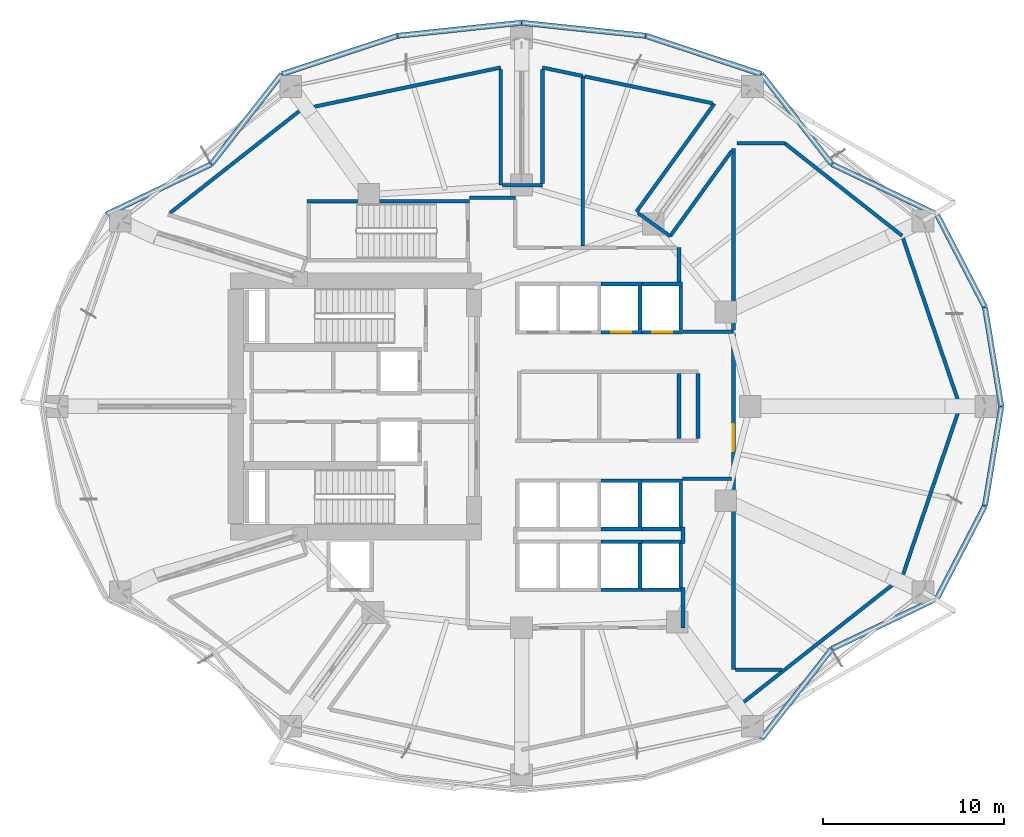
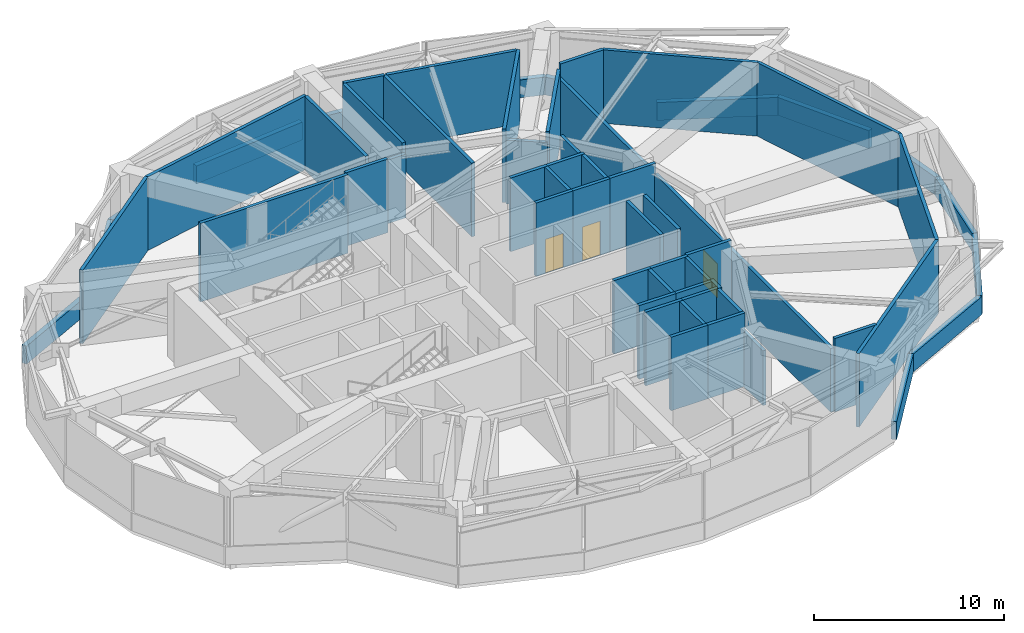
# One storey, part 9 of 12: 60 walls, 3 doors, 3 openings.
"""IFC4 building model written with IfcOpenShell, lengths in metres."""

from ifc_helpers import new_model, si_unit, direction, frame, frame_2d, origin, place, context, subcontext, project, spatial, rectangle, extrude, material, layer, layer_set, type_object, element, fill, save


model = new_model("IFC4")

# Units and contexts
model_context = context("Model", 3, precision=1e-05, world=origin(), true_north=direction((0.0, 1.0)))
body_context = subcontext(model_context, "Body", "Model", "MODEL_VIEW")
ifc_project = project(units=[si_unit("LENGTHUNIT", "METRE"), si_unit("AREAUNIT", "SQUARE_METRE"), si_unit("VOLUMEUNIT", "CUBIC_METRE"), si_unit("PLANEANGLEUNIT", "RADIAN"), si_unit("MASSUNIT", "GRAM", prefix="KILO")], contexts=[model_context])

# Site, building, storey
site_placement = place(None, origin())
site = spatial("IfcSite", under=ifc_project, at=site_placement, CompositionType="ELEMENT")
building_placement = place(site_placement, origin())
building = spatial("IfcBuilding", under=site, at=building_placement, Name="Kolvaren Gate Tower and Convention Centre", CompositionType="ELEMENT")
storey_placement = place(building_placement, frame((0.0, 0.0, 95.800048828125)))
storey = spatial("IfcBuildingStorey", under=building, at=storey_placement, Name="L23", CompositionType="ELEMENT", Elevation=95.800048828125)

# Wall
ifc_material_1 = material(Name="Autoclaved Aerated Masonry Blockwork Class 4 (4.0 MPa)", Category="masonry")
ifc_layer_1 = layer(ifc_material_1, 0.199951171875)
ifc_layer_set_1 = layer_set([ifc_layer_1], Name="Autoclaved Aerated Masonry Blockwork Class 4 (4.0 MPa)")
wall_type_1 = type_object("IfcWallType", Name="ARCH-WL-SHAFT-200", PredefinedType="SOLIDWALL", material=ifc_layer_set_1)
wall_1_placement = place(storey_placement, frame((34.5, 33.75, 0.0), z_axis=(0.0, 0.0, 1.0), x_axis=(1.0, 0.0, 0.0)))
element("IfcWall", 1, at=wall_1_placement, inside=storey, type_object=wall_type_1, Name="Elevator PL-03 L23 Fire Shaft Wall N", PredefinedType="SOLIDWALL", context=body_context, shape_type="SweptSolid", body=[
    extrude(rectangle(XDim=2.25, YDim=0.199951171875, at=frame_2d((1.125, 0.0))), origin(), (0.0, 0.0, 1.0), 4.719970703125),
])

# Wall, opening, door
wall_2_placement = place(storey_placement, frame((34.5, 31.10009765625, 0.0), z_axis=(0.0, 0.0, 1.0), x_axis=(1.0, 0.0, 0.0)))
wall_2 = element("IfcWall", 2, at=wall_2_placement, inside=storey, type_object=wall_type_1, Name="Elevator PL-03 L23 Fire Shaft Wall S", PredefinedType="SOLIDWALL", context=body_context, shape_type="SweptSolid", body=[
    extrude(rectangle(XDim=2.25, YDim=0.199951171875, at=frame_2d((1.125, 0.0))), origin(), (0.0, 0.0, 1.0), 4.719970703125),
])
opening_1_placement = place(wall_2_placement, frame((0.574951171875, 0.0, 0.0)))
opening_1 = element("IfcOpeningElement", 3, at=opening_1_placement, cuts=wall_2, Name="Opening LD", PredefinedType="OPENING", context=body_context, shape_type="SweptSolid", body=[
    extrude(rectangle(XDim=1.10009765625, YDim=2.199951171875, at=frame_2d((0.550048828125, 1.10009765625))), frame((0.0, 0.10986328125, 0.0), z_axis=(0.0, -1.0, 0.0), x_axis=(1.0, 0.0, 0.0)), (0.0, 0.0, 1.0), 0.219970703125),
])
ifc_material_2 = material(Name="Brushed Stainless Steel Grade 316L", Category="steel")
door_type_1 = type_object("IfcDoorType", Name="ARCH-DR-LIFT-1100", OperationType="SLIDING_TO_LEFT", PredefinedType="DOOR", material=ifc_material_2)
door_1_placement = place(opening_1_placement, origin())
door_1 = element("IfcDoor", 4, at=door_1_placement, inside=storey, type_object=door_type_1, Name="Elevator PL-03 L23 Sliding Landing Door", OperationType="SLIDING_TO_LEFT", OverallHeight=2.199951171875, OverallWidth=1.10009765625, PredefinedType="DOOR", context=body_context, shape_type="SweptSolid", body=[
    extrude(rectangle(XDim=1.10009765625, YDim=2.199951171875, at=frame_2d((0.550048828125, 1.10009765625))), frame((0.0, 0.02490234375, 0.0), z_axis=(0.0, -1.0, 0.0), x_axis=(1.0, 0.0, 0.0)), (0.0, 0.0, 1.0), 0.050048828125),
])
fill(opening_1, door_1)

# Walls
wall_3_placement = place(storey_placement, frame((36.64990234375, 31.2099609375, 0.0), z_axis=(0.0, 0.0, 1.0), x_axis=(0.0, 1.0, 0.0)))
element("IfcWall", 5, at=wall_3_placement, inside=storey, type_object=wall_type_1, Name="Elevator PL-03 L23 Fire Shaft Wall E", PredefinedType="SOLIDWALL", context=body_context, shape_type="SweptSolid", body=[
    extrude(rectangle(XDim=2.429931640625, YDim=0.199951171875, at=frame_2d((1.21484375, 0.0))), origin(), (0.0, 0.0, 1.0), 4.719970703125),
])
wall_4_placement = place(storey_placement, frame((36.75, 33.75, 0.0), z_axis=(0.0, 0.0, 1.0), x_axis=(1.0, 0.0, 0.0)))
element("IfcWall", 6, at=wall_4_placement, inside=storey, type_object=wall_type_1, Name="Elevator PL-04 L23 Fire Shaft Wall N", PredefinedType="SOLIDWALL", context=body_context, shape_type="SweptSolid", body=[
    extrude(rectangle(XDim=2.25, YDim=0.199951171875, at=frame_2d((1.125, 0.0))), origin(), (0.0, 0.0, 1.0), 4.719970703125),
])

# Wall, opening, door
wall_5_placement = place(storey_placement, frame((36.75, 31.10009765625, 0.0), z_axis=(0.0, 0.0, 1.0), x_axis=(1.0, 0.0, 0.0)))
wall_5 = element("IfcWall", 7, at=wall_5_placement, inside=storey, type_object=wall_type_1, Name="Elevator PL-04 L23 Fire Shaft Wall S", PredefinedType="SOLIDWALL", context=body_context, shape_type="SweptSolid", body=[
    extrude(rectangle(XDim=2.25, YDim=0.199951171875, at=frame_2d((1.125, 0.0))), origin(), (0.0, 0.0, 1.0), 4.719970703125),
])
opening_2_placement = place(wall_5_placement, frame((0.574951171875, 0.0, 0.0)))
opening_2 = element("IfcOpeningElement", 8, at=opening_2_placement, cuts=wall_5, Name="Opening LD", PredefinedType="OPENING", context=body_context, shape_type="SweptSolid", body=[
    extrude(rectangle(XDim=1.10009765625, YDim=2.199951171875, at=frame_2d((0.550048828125, 1.10009765625))), frame((0.0, 0.10986328125, 0.0), z_axis=(0.0, -1.0, 0.0), x_axis=(1.0, 0.0, 0.0)), (0.0, 0.0, 1.0), 0.219970703125),
])
door_2_placement = place(opening_2_placement, origin())
door_2 = element("IfcDoor", 9, at=door_2_placement, inside=storey, type_object=door_type_1, Name="Elevator PL-04 L23 Sliding Landing Door", OperationType="SLIDING_TO_LEFT", OverallHeight=2.199951171875, OverallWidth=1.10009765625, PredefinedType="DOOR", context=body_context, shape_type="SweptSolid", body=[
    extrude(rectangle(XDim=1.10009765625, YDim=2.199951171875, at=frame_2d((0.550048828125, 1.10009765625))), frame((0.0, 0.02490234375, 0.0), z_axis=(0.0, -1.0, 0.0), x_axis=(1.0, 0.0, 0.0)), (0.0, 0.0, 1.0), 0.050048828125),
])
fill(opening_2, door_2)

# Walls
wall_6_placement = place(storey_placement, frame((38.89990234375, 31.2099609375, 0.0), z_axis=(0.0, 0.0, 1.0), x_axis=(0.0, 1.0, 0.0)))
element("IfcWall", 10, at=wall_6_placement, inside=storey, type_object=wall_type_1, Name="Elevator PL-04 L23 Fire Shaft Wall E", PredefinedType="SOLIDWALL", context=body_context, shape_type="SweptSolid", body=[
    extrude(rectangle(XDim=2.429931640625, YDim=0.199951171875, at=frame_2d((1.21484375, 0.0))), origin(), (0.0, 0.0, 1.0), 4.719970703125),
])
for number, where, z_axis, x_axis, name in (
    (11, (34.5, 19.550048828125, 0.0), (0.0, 0.0, 1.0), (1.0, 0.0, 0.0), "Elevator PL-07 L23 Fire Shaft Wall N"),
    (12, (34.5, 16.89990234375, 0.0), (0.0, 0.0, 1.0), (1.0, 0.0, 0.0), "Elevator PL-07 L23 Fire Shaft Wall S"),
):
    element("IfcWall", number, at=place(storey_placement, frame(where, z_axis=z_axis, x_axis=x_axis)), inside=storey, type_object=wall_type_1, Name=name, PredefinedType="SOLIDWALL", context=body_context, shape_type="SweptSolid", body=[
        extrude(rectangle(XDim=2.25, YDim=0.199951171875, at=frame_2d((1.125, 0.0))), origin(), (0.0, 0.0, 1.0), 4.719970703125),
    ])
wall_7_placement = place(storey_placement, frame((36.64990234375, 17.010009765625, 0.0), z_axis=(0.0, 0.0, 1.0), x_axis=(0.0, 1.0, 0.0)))
element("IfcWall", 13, at=wall_7_placement, inside=storey, type_object=wall_type_1, Name="Elevator PL-07 L23 Fire Shaft Wall E", PredefinedType="SOLIDWALL", context=body_context, shape_type="SweptSolid", body=[
    extrude(rectangle(XDim=2.429931640625, YDim=0.199951171875, at=frame_2d((1.21484375, 0.0))), origin(), (0.0, 0.0, 1.0), 4.719970703125),
])
for number, where, z_axis, x_axis, name in (
    (14, (36.75, 19.550048828125, 0.0), (0.0, 0.0, 1.0), (1.0, 0.0, 0.0), "Elevator PL-08 L23 Fire Shaft Wall N"),
    (15, (36.75, 16.89990234375, 0.0), (0.0, 0.0, 1.0), (1.0, 0.0, 0.0), "Elevator PL-08 L23 Fire Shaft Wall S"),
):
    element("IfcWall", number, at=place(storey_placement, frame(where, z_axis=z_axis, x_axis=x_axis)), inside=storey, type_object=wall_type_1, Name=name, PredefinedType="SOLIDWALL", context=body_context, shape_type="SweptSolid", body=[
        extrude(rectangle(XDim=2.25, YDim=0.199951171875, at=frame_2d((1.125, 0.0))), origin(), (0.0, 0.0, 1.0), 4.719970703125),
    ])
wall_8_placement = place(storey_placement, frame((38.89990234375, 17.010009765625, 0.0), z_axis=(0.0, 0.0, 1.0), x_axis=(0.0, 1.0, 0.0)))
element("IfcWall", 16, at=wall_8_placement, inside=storey, type_object=wall_type_1, Name="Elevator PL-08 L23 Fire Shaft Wall E", PredefinedType="SOLIDWALL", context=body_context, shape_type="SweptSolid", body=[
    extrude(rectangle(XDim=2.429931640625, YDim=0.199951171875, at=frame_2d((1.21484375, 0.0))), origin(), (0.0, 0.0, 1.0), 4.719970703125),
])
for number, where, z_axis, x_axis, name in (
    (17, (34.5, 22.89990234375, 0.0), (0.0, 0.0, 1.0), (1.0, 0.0, 0.0), "Elevator PL-11 L23 Fire Shaft Wall N"),
    (18, (34.5, 20.25, 0.0), (0.0, 0.0, 1.0), (1.0, 0.0, 0.0), "Elevator PL-11 L23 Fire Shaft Wall S"),
):
    element("IfcWall", number, at=place(storey_placement, frame(where, z_axis=z_axis, x_axis=x_axis)), inside=storey, type_object=wall_type_1, Name=name, PredefinedType="SOLIDWALL", context=body_context, shape_type="SweptSolid", body=[
        extrude(rectangle(XDim=2.25, YDim=0.199951171875, at=frame_2d((1.125, 0.0))), origin(), (0.0, 0.0, 1.0), 4.719970703125),
    ])
wall_9_placement = place(storey_placement, frame((36.64990234375, 20.360107421875, 0.0), z_axis=(0.0, 0.0, 1.0), x_axis=(0.0, 1.0, 0.0)))
element("IfcWall", 19, at=wall_9_placement, inside=storey, type_object=wall_type_1, Name="Elevator PL-11 L23 Fire Shaft Wall E", PredefinedType="SOLIDWALL", context=body_context, shape_type="SweptSolid", body=[
    extrude(rectangle(XDim=2.429931640625, YDim=0.199951171875, at=frame_2d((1.21484375, 0.0))), origin(), (0.0, 0.0, 1.0), 4.719970703125),
])
for number, where, z_axis, x_axis, name in (
    (20, (36.75, 22.89990234375, 0.0), (0.0, 0.0, 1.0), (1.0, 0.0, 0.0), "Elevator PL-12 L23 Fire Shaft Wall N"),
    (21, (36.75, 20.25, 0.0), (0.0, 0.0, 1.0), (1.0, 0.0, 0.0), "Elevator PL-12 L23 Fire Shaft Wall S"),
):
    element("IfcWall", number, at=place(storey_placement, frame(where, z_axis=z_axis, x_axis=x_axis)), inside=storey, type_object=wall_type_1, Name=name, PredefinedType="SOLIDWALL", context=body_context, shape_type="SweptSolid", body=[
        extrude(rectangle(XDim=2.25, YDim=0.199951171875, at=frame_2d((1.125, 0.0))), origin(), (0.0, 0.0, 1.0), 4.719970703125),
    ])
wall_10_placement = place(storey_placement, frame((38.89990234375, 20.360107421875, 0.0), z_axis=(0.0, 0.0, 1.0), x_axis=(0.0, 1.0, 0.0)))
element("IfcWall", 22, at=wall_10_placement, inside=storey, type_object=wall_type_1, Name="Elevator PL-12 L23 Fire Shaft Wall E", PredefinedType="SOLIDWALL", context=body_context, shape_type="SweptSolid", body=[
    extrude(rectangle(XDim=2.429931640625, YDim=0.199951171875, at=frame_2d((1.21484375, 0.0))), origin(), (0.0, 0.0, 1.0), 4.719970703125),
])
wall_11_placement = place(storey_placement, frame((38.800048828125, 25.221923828125, 0.0), z_axis=(0.0, 0.0, 1.0), x_axis=(0.0, 1.0, 0.0)))
element("IfcWall", 23, at=wall_11_placement, inside=storey, type_object=wall_type_1, Name="Interior Partition WL-L23-INT-013", PredefinedType="SOLIDWALL", context=body_context, shape_type="SweptSolid", body=[
    extrude(rectangle(XDim=3.59619140625, YDim=0.199951171875, at=frame_2d((1.798095703125, 0.0))), origin(), (0.0, 0.0, 1.0), 4.719970703125),
])
wall_12_placement = place(storey_placement, frame((38.800048828125, 33.8701171875, 0.0), z_axis=(0.0, 0.0, 1.0), x_axis=(0.0, 1.0, 0.0)))
element("IfcWall", 24, at=wall_12_placement, inside=storey, type_object=wall_type_1, Name="Interior Partition WL-L23-INT-014", PredefinedType="SOLIDWALL", context=body_context, shape_type="SweptSolid", body=[
    extrude(rectangle(XDim=1.8798828125, YDim=0.199951171875, at=frame_2d((0.93994140625, 0.0))), origin(), (0.0, 0.0, 1.0), 4.719970703125),
])
wall_13_placement = place(storey_placement, frame((39.02001953125, 14.800048828125, 0.0), z_axis=(0.0, 0.0, 1.0), x_axis=(0.0, 1.0, 0.0)))
element("IfcWall", 25, at=wall_13_placement, inside=storey, type_object=wall_type_1, Name="Interior Partition WL-L23-INT-015", PredefinedType="SOLIDWALL", context=body_context, shape_type="SweptSolid", body=[
    extrude(rectangle(XDim=2.2099609375, YDim=0.199951171875, at=frame_2d((1.10498046875, 0.0))), origin(), (0.0, 0.0, 1.0), 3.512451171875),
])
wall_14_placement = place(storey_placement, frame((39.02001953125, 19.43994140625, 0.0), z_axis=(0.0, 0.0, 1.0), x_axis=(0.0, 1.0, 0.0)))
element("IfcWall", 26, at=wall_14_placement, inside=storey, type_object=wall_type_1, Name="Interior Partition WL-L23-INT-015 (2)", PredefinedType="SOLIDWALL", context=body_context, shape_type="SweptSolid", body=[
    extrude(rectangle(XDim=0.920166015625, YDim=0.199951171875, at=frame_2d((0.4599609375, 0.0))), origin(), (0.0, 0.0, 1.0), 4.719970703125),
])
wall_15_placement = place(storey_placement, frame((27.25, 38.5, 0.0), z_axis=(0.0, 0.0, 1.0), x_axis=(1.0, 0.0, 0.0)))
element("IfcWall", 27, at=wall_15_placement, inside=storey, type_object=wall_type_1, Name="Interior Partition WL-L23-INT-019", PredefinedType="SOLIDWALL", context=body_context, shape_type="SweptSolid", body=[
    extrude(rectangle(XDim=2.530029296875, YDim=0.199951171875, at=frame_2d((1.26513671875, 0.0))), origin(), (0.0, 0.0, 1.0), 4.719970703125),
])
wall_16_placement = place(storey_placement, frame((39.02001953125, 31.1201171875, 0.0), z_axis=(0.0, 0.0, 1.0), x_axis=(1.0, 0.0, 0.0)))
element("IfcWall", 28, at=wall_16_placement, inside=storey, type_object=wall_type_1, Name="Interior Partition WL-L23-INT-023", PredefinedType="SOLIDWALL", context=body_context, shape_type="SweptSolid", body=[
    extrude(rectangle(XDim=2.780029296875, YDim=0.199951171875, at=frame_2d((1.39013671875, 0.0))), origin(), (0.0, 0.0, 1.0), 4.719970703125),
])

# Wall, opening, door
wall_17_placement = place(storey_placement, frame((41.800048828125, 12.5, 0.0), z_axis=(0.0, 0.0, 1.0), x_axis=(0.0, 1.0, 0.0)))
wall_17 = element("IfcWall", 29, at=wall_17_placement, inside=storey, type_object=wall_type_1, Name="Interior Partition WL-L23-INT-024", PredefinedType="SOLIDWALL", context=body_context, shape_type="SweptSolid", body=[
    extrude(rectangle(XDim=18.51806640625, YDim=0.199951171875, at=frame_2d((9.259033203125, 0.0))), origin(), (0.0, 0.0, 1.0), 4.083984375),
])
opening_3_placement = place(wall_17_placement, frame((12.02392578125, 0.0, 0.0)))
opening_3 = element("IfcOpeningElement", 30, at=opening_3_placement, cuts=wall_17, Name="Opening DL-01", PredefinedType="OPENING", context=body_context, shape_type="SweptSolid", body=[
    extrude(rectangle(XDim=1.5, YDim=2.199951171875, at=frame_2d((0.75, 1.10009765625))), frame((0.0, 0.10986328125, 0.0), z_axis=(0.0, -1.0, 0.0), x_axis=(1.0, 0.0, 0.0)), (0.0, 0.0, 1.0), 0.219970703125),
])
ifc_material_3 = material(Name="Painted Architectural Steelwork ASTM A500 Grade C 345 MPa", Category="steel")
door_type_2 = type_object("IfcDoorType", Name="ARCH-DR-LOBBY-1500", OperationType="DOUBLE_DOOR_SINGLE_SWING", PredefinedType="DOOR", material=ifc_material_3)
door_3_placement = place(opening_3_placement, origin())
door_3 = element("IfcDoor", 31, at=door_3_placement, inside=storey, type_object=door_type_2, Name="Pressurized Area of Refuge L23 Door", OperationType="DOUBLE_DOOR_SINGLE_SWING", OverallHeight=2.199951171875, OverallWidth=1.5, PredefinedType="DOOR", context=body_context, shape_type="SweptSolid", body=[
    extrude(rectangle(XDim=1.5, YDim=2.199951171875, at=frame_2d((0.75, 1.10009765625))), frame((0.0, 0.02490234375, 0.0), z_axis=(0.0, -1.0, 0.0), x_axis=(1.0, 0.0, 0.0)), (0.0, 0.0, 1.0), 0.050048828125),
])
fill(opening_3, door_3)

# Walls
wall_18_placement = place(storey_placement, frame((41.800048828125, 31.221923828125, 0.0), z_axis=(0.0, 0.0, 1.0), x_axis=(0.0, 1.0, 0.0)))
element("IfcWall", 32, at=wall_18_placement, inside=storey, type_object=wall_type_1, Name="Interior Partition WL-L23-INT-024 (2)", PredefinedType="SOLIDWALL", context=body_context, shape_type="SweptSolid", body=[
    extrude(rectangle(XDim=9.989990234375, YDim=0.199951171875, at=frame_2d((4.9951171875, 0.0))), origin(), (0.0, 0.0, 1.0), 4.083984375),
])
wall_19_placement = place(storey_placement, frame((39.0, 23.02001953125, 0.0), z_axis=(0.0, 0.0, 1.0), x_axis=(1.0, 0.0, 0.0)))
element("IfcWall", 33, at=wall_19_placement, inside=storey, type_object=wall_type_1, Name="Interior Partition WL-L23-INT-025", PredefinedType="SOLIDWALL", context=body_context, shape_type="SweptSolid", body=[
    extrude(rectangle(XDim=2.697998046875, YDim=0.199951171875, at=frame_2d((1.34912109375, 0.0))), origin(), (0.0, 0.0, 1.0), 4.719970703125),
])
wall_20_placement = place(storey_placement, frame((39.85009765625, 25.221923828125, 0.0), z_axis=(0.0, 0.0, 1.0), x_axis=(0.0, 1.0, 0.0)))
element("IfcWall", 34, at=wall_20_placement, inside=storey, type_object=wall_type_1, Name="Interior Partition WL-L23-INT-026", PredefinedType="SOLIDWALL", context=body_context, shape_type="SweptSolid", body=[
    extrude(rectangle(XDim=3.59619140625, YDim=0.199951171875, at=frame_2d((1.798095703125, 0.0))), origin(), (0.0, 0.0, 1.0), 4.719970703125),
])
wall_21_placement = place(storey_placement, frame((38.3125, 36.383056640625, 0.0), z_axis=(0.0, 0.0, 1.0), x_axis=(0.585479763009, 0.810687021672, 0.0)))
element("IfcWall", 35, at=wall_21_placement, inside=storey, type_object=wall_type_1, Name="Interior Partition WL-L23-INT-028", PredefinedType="SOLIDWALL", context=body_context, shape_type="SweptSolid", body=[
    extrude(rectangle(XDim=5.782470703125, YDim=0.199951171875, at=frame_2d((2.89111328125, 0.0))), origin(), (0.0, 0.0, 1.0), 4.719970703125),
])
wall_22_placement = place(storey_placement, frame((42.008056640625, 41.5, 0.0), z_axis=(0.0, 0.0, 1.0), x_axis=(1.0, 0.0, 0.0)))
element("IfcWall", 36, at=wall_22_placement, inside=storey, type_object=wall_type_1, Name="Interior Partition WL-L23-INT-029", PredefinedType="SOLIDWALL", context=body_context, shape_type="SweptSolid", body=[
    extrude(rectangle(XDim=2.6259765625, YDim=0.199951171875, at=frame_2d((1.31298828125, 0.0))), origin(), (0.0, 0.0, 1.0), 4.719970703125),
])
wall_23_placement = place(storey_placement, frame((44.634033203125, 41.5, 0.0), z_axis=(0.0, 0.0, 1.0), x_axis=(0.785474631089, -0.618893855129, 0.0)))
element("IfcWall", 37, at=wall_23_placement, inside=storey, type_object=wall_type_1, Name="Interior Partition WL-L23-INT-030", PredefinedType="SOLIDWALL", context=body_context, shape_type="SweptSolid", body=[
    extrude(rectangle(XDim=8.230712890625, YDim=0.199951171875, at=frame_2d((4.115234375, 0.0))), origin(), (0.0, 0.0, 1.0), 4.719970703125),
])
for number, where, z_axis, x_axis, name in (
    (38, (51.09912109375, 36.406005859375, 0.0), (0.0, 0.0, 1.0), (0.320995183487, -0.947080826634, 0.0), "Interior Partition WL-L23-INT-031"),
    (39, (51.09912109375, 17.593994140625, 0.0), (0.0, 0.0, 1.0), (0.320995183487, 0.947080826634, 0.0), "Interior Partition WL-L23-INT-032"),
):
    element("IfcWall", number, at=place(storey_placement, frame(where, z_axis=z_axis, x_axis=x_axis)), inside=storey, type_object=wall_type_1, Name=name, PredefinedType="SOLIDWALL", context=body_context, shape_type="SweptSolid", body=[
        extrude(rectangle(XDim=9.931640625, YDim=0.199951171875, at=frame_2d((4.9658203125, 0.0))), origin(), (0.0, 0.0, 1.0), 4.719970703125),
    ])
wall_24_placement = place(storey_placement, frame((42.25927734375, 10.62890625, 0.0), z_axis=(0.0, 0.0, 1.0), x_axis=(0.78547601337, 0.618892100791, 0.0)))
element("IfcWall", 40, at=wall_24_placement, inside=storey, type_object=wall_type_1, Name="Interior Partition WL-L23-INT-033", PredefinedType="SOLIDWALL", context=body_context, shape_type="SweptSolid", body=[
    extrude(rectangle(XDim=11.254150390625, YDim=0.199951171875, at=frame_2d((5.626953125, 0.0))), origin(), (0.0, 0.0, 1.0), 4.719970703125),
])
wall_25_placement = place(storey_placement, frame((41.902099609375, 12.5, 0.0), z_axis=(0.0, 0.0, 1.0), x_axis=(1.0, 0.0, 0.0)))
element("IfcWall", 41, at=wall_25_placement, inside=storey, type_object=wall_type_1, Name="Interior Partition WL-L23-INT-034", PredefinedType="SOLIDWALL", context=body_context, shape_type="SweptSolid", body=[
    extrude(rectangle(XDim=2.567138671875, YDim=0.199951171875, at=frame_2d((1.28369140625, 0.0))), origin(), (0.0, 0.0, 1.0), 4.719970703125),
])
wall_26_placement = place(storey_placement, frame((36.450439453125, 37.726806640625, 0.0), z_axis=(0.0, 0.0, 1.0), x_axis=(0.585268596804, 0.810839484482, 0.0)))
element("IfcWall", 42, at=wall_26_placement, inside=storey, type_object=wall_type_1, Name="Interior Partition WL-L23-INT-037", PredefinedType="SOLIDWALL", context=body_context, shape_type="SweptSolid", body=[
    extrude(rectangle(XDim=7.35009765625, YDim=0.199951171875, at=frame_2d((3.675048828125, 0.0))), origin(), (0.0, 0.0, 1.0), 4.719970703125),
])
wall_27_placement = place(storey_placement, frame((33.5, 35.85205078125, 0.0), z_axis=(0.0, 0.0, 1.0), x_axis=(0.0, 1.0, 0.0)))
element("IfcWall", 43, at=wall_27_placement, inside=storey, type_object=wall_type_1, Name="Interior Partition WL-L23-INT-042", PredefinedType="SOLIDWALL", context=body_context, shape_type="SweptSolid", body=[
    extrude(rectangle(XDim=9.35888671875, YDim=0.199951171875, at=frame_2d((4.679443359375, 0.0))), origin(), (0.0, 0.0, 1.0), 4.719970703125),
])
wall_28_placement = place(storey_placement, frame((31.27490234375, 45.678466796875, 0.0), z_axis=(0.0, 0.0, 1.0), x_axis=(0.978630598051, -0.205626244818, 0.0)))
element("IfcWall", 44, at=wall_28_placement, inside=storey, type_object=wall_type_1, Name="Interior Partition WL-L23-INT-045", PredefinedType="SOLIDWALL", context=body_context, shape_type="SweptSolid", body=[
    extrude(rectangle(XDim=2.273681640625, YDim=0.199951171875, at=frame_2d((1.13671875, 0.0))), origin(), (0.0, 0.0, 1.0), 4.719970703125),
])
wall_29_placement = place(storey_placement, frame((33.60205078125, 45.189697265625, 0.0), z_axis=(0.0, 0.0, 1.0), x_axis=(0.978638616513, -0.205588079102, 0.0)))
element("IfcWall", 45, at=wall_29_placement, inside=storey, type_object=wall_type_1, Name="Interior Partition WL-L23-INT-045 (2)", PredefinedType="SOLIDWALL", context=body_context, shape_type="SweptSolid", body=[
    extrude(rectangle(XDim=7.1953125, YDim=0.199951171875, at=frame_2d((3.59765625, 0.0))), origin(), (0.0, 0.0, 1.0), 4.719970703125),
])
wall_30_placement = place(storey_placement, frame((36.533203125, 37.667236328125, 0.0), z_axis=(0.0, 0.0, 1.0), x_axis=(0.810884383472, -0.585206388072, 0.0)))
element("IfcWall", 46, at=wall_30_placement, inside=storey, type_object=wall_type_1, Name="Interior Partition WL-L23-INT-046", PredefinedType="SOLIDWALL", context=body_context, shape_type="SweptSolid", body=[
    extrude(rectangle(XDim=2.196044921875, YDim=0.199951171875, at=frame_2d((1.09814453125, 0.0))), origin(), (0.0, 0.0, 1.0), 4.083984375),
])
wall_31_placement = place(storey_placement, frame((10.73974609375, 37.6572265625, 0.0), z_axis=(0.0, 0.0, 1.0), x_axis=(0.785450376932, 0.618924636266, 0.0)))
element("IfcWall", 47, at=wall_31_placement, inside=storey, type_object=wall_type_1, Name="Interior Partition WL-L23-INT-048", PredefinedType="SOLIDWALL", context=body_context, shape_type="SweptSolid", body=[
    extrude(rectangle(XDim=9.23193359375, YDim=0.199951171875, at=frame_2d((4.615966796875, 0.0))), origin(), (0.0, 0.0, 1.0), 4.719970703125),
])
wall_32_placement = place(storey_placement, frame((17.990966796875, 43.37109375, 0.0), z_axis=(0.0, 0.0, 1.0), x_axis=(0.978632097897, 0.20561910652, 0.0)))
element("IfcWall", 48, at=wall_32_placement, inside=storey, type_object=wall_type_1, Name="Interior Partition WL-L23-INT-049", PredefinedType="SOLIDWALL", context=body_context, shape_type="SweptSolid", body=[
    extrude(rectangle(XDim=11.223876953125, YDim=0.199951171875, at=frame_2d((5.61181640625, 0.0))), origin(), (0.0, 0.0, 1.0), 4.719970703125),
])
wall_33_placement = place(storey_placement, frame((28.97509765625, 39.199951171875, 0.0), z_axis=(0.0, 0.0, 1.0), x_axis=(0.0, 1.0, 0.0)))
element("IfcWall", 49, at=wall_33_placement, inside=storey, type_object=wall_type_1, Name="Interior Partition WL-L23-INT-050", PredefinedType="SOLIDWALL", context=body_context, shape_type="SweptSolid", body=[
    extrude(rectangle(XDim=6.374755859375, YDim=0.199951171875, at=frame_2d((3.1875, 0.0))), origin(), (0.0, 0.0, 1.0), 4.719970703125),
])
wall_34_placement = place(storey_placement, frame((29.076904296875, 39.199951171875, 0.0), z_axis=(0.0, 0.0, 1.0), x_axis=(1.0, 0.0, 0.0)))
element("IfcWall", 50, at=wall_34_placement, inside=storey, type_object=wall_type_1, Name="Interior Partition WL-L23-INT-051", PredefinedType="SOLIDWALL", context=body_context, shape_type="SweptSolid", body=[
    extrude(rectangle(XDim=2.197998046875, YDim=0.199951171875, at=frame_2d((1.09912109375, 0.0))), origin(), (0.0, 0.0, 1.0), 4.083984375),
])
wall_35_placement = place(storey_placement, frame((31.27490234375, 39.302001953125, 0.0), z_axis=(0.0, 0.0, 1.0), x_axis=(0.0, 1.0, 0.0)))
element("IfcWall", 51, at=wall_35_placement, inside=storey, type_object=wall_type_1, Name="Interior Partition WL-L23-INT-052", PredefinedType="SOLIDWALL", context=body_context, shape_type="SweptSolid", body=[
    extrude(rectangle(XDim=6.272216796875, YDim=0.199951171875, at=frame_2d((3.13623046875, 0.0))), origin(), (0.0, 0.0, 1.0), 4.719970703125),
])
ifc_material_4 = material(Name="Piedmont Cream Honed Limestone Cladding", Category="masonry")
ifc_layer_2 = layer(ifc_material_4, 0.300048828125)
ifc_layer_set_2 = layer_set([ifc_layer_2], Name="Piedmont Cream Honed Limestone Cladding")
wall_type_2 = type_object("IfcWallType", Name="ARCH-WL-STONE-300", PredefinedType="SOLIDWALL", material=ifc_layer_set_2)
wall_36_placement = place(storey_placement, frame((55.66162109375, 32.47412109375, 0.0), z_axis=(0.0, 0.0, 1.0), x_axis=(0.162386212206, -0.986727276447, 0.0)))
element("IfcWall", 52, at=wall_36_placement, inside=storey, type_object=wall_type_2, Name="Plant Floor L23 Stone Sill Wall EW-00", PredefinedType="SOLIDWALL", context=body_context, shape_type="SweptSolid", body=[
    extrude(rectangle(XDim=5.5478515625, YDim=0.300048828125, at=frame_2d((2.77392578125, 0.0))), origin(), (0.0, 0.0, 1.0), 1.14990234375),
])
wall_37_placement = place(storey_placement, frame((53.0205078125, 37.574951171875, 0.0), z_axis=(0.0, 0.0, 1.0), x_axis=(0.459800981414, -0.888021991558, 0.0)))
element("IfcWall", 53, at=wall_37_placement, inside=storey, type_object=wall_type_2, Name="Plant Floor L23 Stone Sill Wall EW-01", PredefinedType="SOLIDWALL", context=body_context, shape_type="SweptSolid", body=[
    extrude(rectangle(XDim=5.744140625, YDim=0.300048828125, at=frame_2d((2.8720703125, 0.0))), origin(), (0.0, 0.0, 1.0), 1.14990234375),
])
wall_38_placement = place(storey_placement, frame((47.223876953125, 40.360107421875, 0.0), z_axis=(0.0, 0.0, 1.0), x_axis=(0.901354747727, -0.433081538224, 0.0)))
element("IfcWall", 54, at=wall_38_placement, inside=storey, type_object=wall_type_2, Name="Plant Floor L23 Stone Sill Wall EW-02", PredefinedType="SOLIDWALL", context=body_context, shape_type="SweptSolid", body=[
    extrude(rectangle(XDim=6.430908203125, YDim=0.300048828125, at=frame_2d((3.21533203125, 0.0))), origin(), (0.0, 0.0, 1.0), 1.14990234375),
])
wall_39_placement = place(storey_placement, frame((43.34375, 45.31640625, 0.0), z_axis=(0.0, 0.0, 1.0), x_axis=(0.616434798832, -0.78740595552, 0.0)))
element("IfcWall", 55, at=wall_39_placement, inside=storey, type_object=wall_type_2, Name="Plant Floor L23 Stone Sill Wall EW-03", PredefinedType="SOLIDWALL", context=body_context, shape_type="SweptSolid", body=[
    extrude(rectangle(XDim=6.29443359375, YDim=0.300048828125, at=frame_2d((3.147216796875, 0.0))), origin(), (0.0, 0.0, 1.0), 1.14990234375),
])
wall_40_placement = place(storey_placement, frame((36.967529296875, 47.42919921875, 0.0), z_axis=(0.0, 0.0, 1.0), x_axis=(0.949245153629, -0.314537181127, 0.0)))
element("IfcWall", 56, at=wall_40_placement, inside=storey, type_object=wall_type_2, Name="Plant Floor L23 Stone Sill Wall EW-04", PredefinedType="SOLIDWALL", context=body_context, shape_type="SweptSolid", body=[
    extrude(rectangle(XDim=6.717041015625, YDim=0.300048828125, at=frame_2d((3.3583984375, 0.0))), origin(), (0.0, 0.0, 1.0), 1.14990234375),
])
for number, where, z_axis, x_axis, name in (
    (57, (30.125, 48.14990234375, 0.0), (0.0, 0.0, 1.0), (0.994498840295, -0.104747585419, 0.0), "Plant Floor L23 Stone Sill Wall EW-05"),
    (58, (23.282470703125, 47.42919921875, 0.0), (0.0, 0.0, 1.0), (0.994498840295, 0.104747585419, 0.0), "Plant Floor L23 Stone Sill Wall EW-06"),
):
    element("IfcWall", number, at=place(storey_placement, frame(where, z_axis=z_axis, x_axis=x_axis)), inside=storey, type_object=wall_type_2, Name=name, PredefinedType="SOLIDWALL", context=body_context, shape_type="SweptSolid", body=[
        extrude(rectangle(XDim=6.88037109375, YDim=0.300048828125, at=frame_2d((3.440185546875, 0.0))), origin(), (0.0, 0.0, 1.0), 1.14990234375),
    ])
wall_41_placement = place(storey_placement, frame((16.90625, 45.31640625, 0.0), z_axis=(0.0, 0.0, 1.0), x_axis=(0.949245153629, 0.314537181127, 0.0)))
element("IfcWall", 59, at=wall_41_placement, inside=storey, type_object=wall_type_2, Name="Plant Floor L23 Stone Sill Wall EW-07", PredefinedType="SOLIDWALL", context=body_context, shape_type="SweptSolid", body=[
    extrude(rectangle(XDim=6.717041015625, YDim=0.300048828125, at=frame_2d((3.3583984375, 0.0))), origin(), (0.0, 0.0, 1.0), 1.14990234375),
])
wall_42_placement = place(storey_placement, frame((13.026123046875, 40.360107421875, 0.0), z_axis=(0.0, 0.0, 1.0), x_axis=(0.616434798832, 0.78740595552, 0.0)))
element("IfcWall", 60, at=wall_42_placement, inside=storey, type_object=wall_type_2, Name="Plant Floor L23 Stone Sill Wall EW-08", PredefinedType="SOLIDWALL", context=body_context, shape_type="SweptSolid", body=[
    extrude(rectangle(XDim=6.29443359375, YDim=0.300048828125, at=frame_2d((3.147216796875, 0.0))), origin(), (0.0, 0.0, 1.0), 1.14990234375),
])
wall_43_placement = place(storey_placement, frame((7.2294921875, 37.574951171875, 0.0), z_axis=(0.0, 0.0, 1.0), x_axis=(0.901354747727, 0.433081538224, 0.0)))
element("IfcWall", 61, at=wall_43_placement, inside=storey, type_object=wall_type_2, Name="Plant Floor L23 Stone Sill Wall EW-09", PredefinedType="SOLIDWALL", context=body_context, shape_type="SweptSolid", body=[
    extrude(rectangle(XDim=6.430908203125, YDim=0.300048828125, at=frame_2d((3.21533203125, 0.0))), origin(), (0.0, 0.0, 1.0), 1.14990234375),
])
wall_44_placement = place(storey_placement, frame((43.34375, 8.68359375, 0.0), z_axis=(0.0, 0.0, 1.0), x_axis=(0.616434798832, 0.78740595552, 0.0)))
element("IfcWall", 62, at=wall_44_placement, inside=storey, type_object=wall_type_2, Name="Plant Floor L23 Stone Sill Wall EW-20", PredefinedType="SOLIDWALL", context=body_context, shape_type="SweptSolid", body=[
    extrude(rectangle(XDim=6.29443359375, YDim=0.300048828125, at=frame_2d((3.147216796875, 0.0))), origin(), (0.0, 0.0, 1.0), 1.14990234375),
])
wall_45_placement = place(storey_placement, frame((47.223876953125, 13.639892578125, 0.0), z_axis=(0.0, 0.0, 1.0), x_axis=(0.901354747727, 0.433081538224, 0.0)))
element("IfcWall", 63, at=wall_45_placement, inside=storey, type_object=wall_type_2, Name="Plant Floor L23 Stone Sill Wall EW-21", PredefinedType="SOLIDWALL", context=body_context, shape_type="SweptSolid", body=[
    extrude(rectangle(XDim=6.430908203125, YDim=0.300048828125, at=frame_2d((3.21533203125, 0.0))), origin(), (0.0, 0.0, 1.0), 1.14990234375),
])
wall_46_placement = place(storey_placement, frame((53.0205078125, 16.425048828125, 0.0), z_axis=(0.0, 0.0, 1.0), x_axis=(0.459800981414, 0.888021991558, 0.0)))
element("IfcWall", 64, at=wall_46_placement, inside=storey, type_object=wall_type_2, Name="Plant Floor L23 Stone Sill Wall EW-22", PredefinedType="SOLIDWALL", context=body_context, shape_type="SweptSolid", body=[
    extrude(rectangle(XDim=5.744140625, YDim=0.300048828125, at=frame_2d((2.8720703125, 0.0))), origin(), (0.0, 0.0, 1.0), 1.14990234375),
])
wall_47_placement = place(storey_placement, frame((55.66162109375, 21.52587890625, 0.0), z_axis=(0.0, 0.0, 1.0), x_axis=(0.162386212206, 0.986727276447, 0.0)))
element("IfcWall", 65, at=wall_47_placement, inside=storey, type_object=wall_type_2, Name="Plant Floor L23 Stone Sill Wall EW-23", PredefinedType="SOLIDWALL", context=body_context, shape_type="SweptSolid", body=[
    extrude(rectangle(XDim=5.5478515625, YDim=0.300048828125, at=frame_2d((2.77392578125, 0.0))), origin(), (0.0, 0.0, 1.0), 1.14990234375),
])
ifc_material_5 = material(Name="Concrete C50/60", Category="concrete")
ifc_layer_3 = layer(ifc_material_5, 0.199951171875)
ifc_layer_set_3 = layer_set([ifc_layer_3], Name="Concrete C50/60")
wall_type_3 = type_object("IfcWallType", Name="STR-WL-SHAFT-200", PredefinedType="SHEAR", material=ifc_layer_set_3)
wall_48_placement = place(storey_placement, frame((18.300048828125, 38.300048828125, -0.320068359375), z_axis=(0.0, 0.0, 1.0), x_axis=(1.0, 0.0, 0.0)))
element("IfcWall", 66, at=wall_48_placement, inside=storey, type_object=wall_type_3, Name="Tower Mid-Zone Exit Stair ST-T3 L23 Structural Shear Enclosure Wall LEFT", PredefinedType="SHEAR", context=body_context, shape_type="SweptSolid", body=[
    extrude(rectangle(XDim=8.949951171875, YDim=0.199951171875, at=frame_2d((4.47509765625, 0.0))), origin(), (0.0, 0.0, 1.0), 5.0400390625),
])

save(model, "model.ifc")
